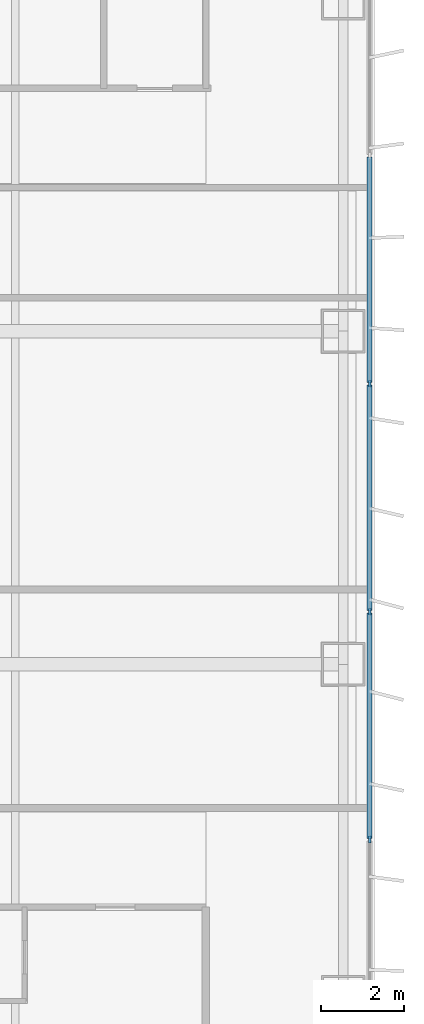
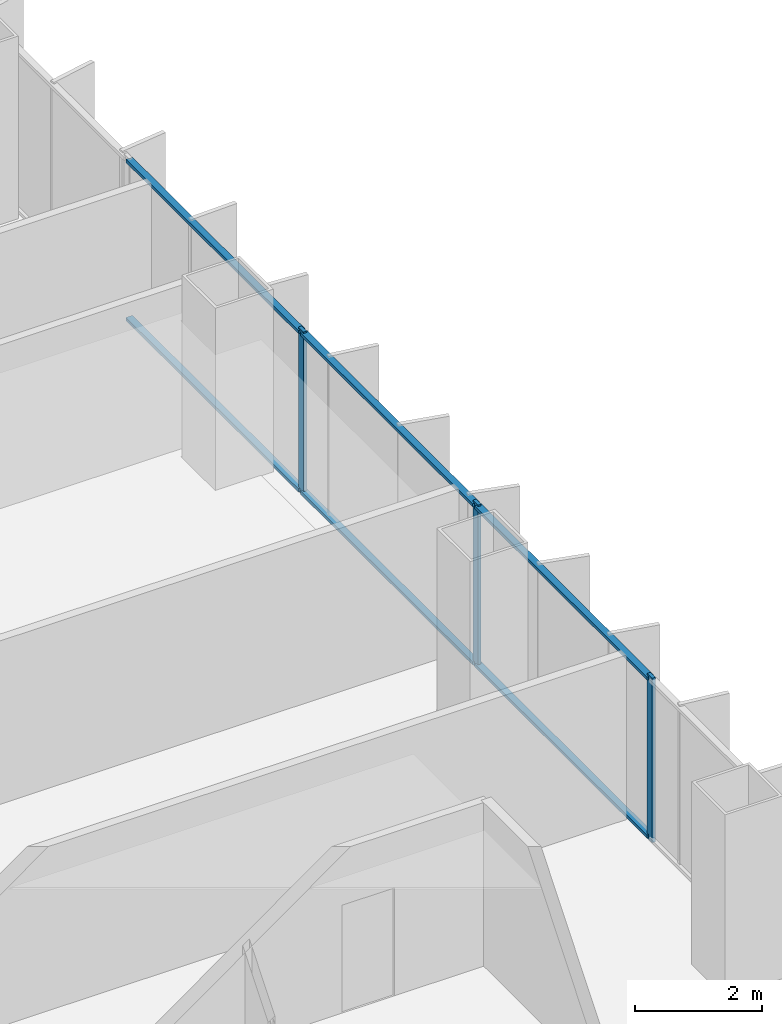
# One storey, part 8 of 19: 9 members, 1 element without a shape of its own.
"""IFC4 building model written with IfcOpenShell, lengths in metres."""

from ifc_helpers import new_model, si_unit, direction, frame, origin, origin_2d, place, context, subcontext, project, spatial, rectangle, extrude, material, layer, layer_set, material_profile, profile_set, type_object, element, aggregate, save


model = new_model("IFC4")

# Units and contexts
model_context = context("Model", 3, precision=1e-05, world=origin(), true_north=direction((0.0, 1.0)))
body_context = subcontext(model_context, "Body", "Model", "MODEL_VIEW")
ifc_project = project(units=[si_unit("LENGTHUNIT", "METRE"), si_unit("AREAUNIT", "SQUARE_METRE"), si_unit("VOLUMEUNIT", "CUBIC_METRE"), si_unit("PLANEANGLEUNIT", "RADIAN"), si_unit("MASSUNIT", "GRAM", prefix="KILO")], contexts=[model_context])

# Site, building, storey
site_placement = place(None, origin())
site = spatial("IfcSite", under=ifc_project, at=site_placement, CompositionType="ELEMENT")
building_placement = place(site_placement, origin())
building = spatial("IfcBuilding", under=site, at=building_placement, Name="Trevonay Congress Spire", CompositionType="ELEMENT")
storey_placement = place(building_placement, frame((0.0, 0.0, 79.5)))
storey = spatial("IfcBuildingStorey", under=building, at=storey_placement, Name="L20", CompositionType="ELEMENT", Elevation=79.5)

# Curtain wall, members
ifc_material = material(Name="Pale Anodised Aluminium EN AW-6063-T6", Category="aluminium")
ifc_layer = layer(ifc_material, 0.179931640625, Name="Pale Anodised Aluminium EN AW-6063-T6")
ifc_layer_set = layer_set([ifc_layer], Name="Pale Anodised Aluminium EN AW-6063-T6")
curtain_wall_type = type_object("IfcCurtainWallType", Name="CW-SYS02-HOTEL-PALE-METAL", PredefinedType="NOTDEFINED", material=ifc_layer_set)
curtain_wall_placement = place(storey_placement, origin())
curtain_wall = element("IfcCurtainWall", 1, at=curtain_wall_placement, inside=storey, type_object=curtain_wall_type, Name="L20 E unitised curtain wall", PredefinedType="NOTDEFINED")
ifc_material_profile_1 = material_profile(ifc_material, rectangle(XDim=0.06005859375, YDim=0.159912109375, at=origin_2d()), Name="CW-MULLION-160-ALUMINIUM")
ifc_profile_set_1 = profile_set([ifc_material_profile_1], Name="Pale Anodised Aluminium EN AW-6063-T6")
member_type_1 = type_object("IfcMemberType", Name="CW-MULLION-160-ALUMINIUM", PredefinedType="MULLION", material=ifc_profile_set_1)
member_1_placement = place(storey_placement, frame((23.8798828125, -8.20703125, 0.0), z_axis=(0.0, 0.0, 1.0), x_axis=(-1.0, 0.0, 0.0)))
member_1 = element("IfcMember", 2, at=member_1_placement, type_object=member_type_1, Name="CW02 mullion 3", PredefinedType="MULLION", context=body_context, shape_type="SweptSolid", body=[
    extrude(rectangle(XDim=0.06005859375, YDim=0.159912109375, at=origin_2d()), origin(), (0.0, 0.0, 1.0), 3.14990234375),
])
member_2_placement = place(storey_placement, frame((23.8798828125, -2.735595703125, 0.0), z_axis=(0.0, 0.0, 1.0), x_axis=(-1.0, 0.0, 0.0)))
member_2 = element("IfcMember", 3, at=member_2_placement, type_object=member_type_1, Name="CW02 mullion 4", PredefinedType="MULLION", context=body_context, shape_type="SweptSolid", body=[
    extrude(rectangle(XDim=0.06005859375, YDim=0.159912109375, at=origin_2d()), origin(), (0.0, 0.0, 1.0), 3.14990234375),
])
member_3_placement = place(storey_placement, frame((23.8798828125, 2.735595703125, 0.0), z_axis=(0.0, 0.0, 1.0), x_axis=(-1.0, 0.0, 0.0)))
member_3 = element("IfcMember", 4, at=member_3_placement, type_object=member_type_1, Name="CW02 mullion 5", PredefinedType="MULLION", context=body_context, shape_type="SweptSolid", body=[
    extrude(rectangle(XDim=0.06005859375, YDim=0.159912109375, at=origin_2d()), origin(), (0.0, 0.0, 1.0), 3.14990234375),
])
ifc_material_profile_2 = material_profile(ifc_material, rectangle(XDim=0.1201171875, YDim=0.06005859375, at=origin_2d()), Name="CW-TRANSOM-120-ALUMINIUM")
ifc_profile_set_2 = profile_set([ifc_material_profile_2], Name="Pale Anodised Aluminium EN AW-6063-T6")
member_type_2 = type_object("IfcMemberType", Name="CW-TRANSOM-120-ALUMINIUM", PredefinedType="USERDEFINED", material=ifc_profile_set_2)
member_4_placement = place(storey_placement, frame((23.8798828125, -8.17724609375, 0.06005859375), z_axis=(0.0, 1.0, 0.0), x_axis=(-1.0, 0.0, 0.0)))
member_4 = element("IfcMember", 5, at=member_4_placement, type_object=member_type_2, Name="CW02 transom 3.1", ObjectType="TRANSOM", PredefinedType="USERDEFINED", context=body_context, shape_type="SweptSolid", body=[
    extrude(rectangle(XDim=0.1201171875, YDim=0.06005859375, at=origin_2d()), origin(), (0.0, 0.0, 1.0), 5.41162109375),
])
member_5_placement = place(storey_placement, frame((23.8798828125, -8.17724609375, 3.090087890625), z_axis=(0.0, 1.0, 0.0), x_axis=(-1.0, 0.0, 0.0)))
member_5 = element("IfcMember", 6, at=member_5_placement, type_object=member_type_2, Name="CW02 transom 3.2", ObjectType="TRANSOM", PredefinedType="USERDEFINED", context=body_context, shape_type="SweptSolid", body=[
    extrude(rectangle(XDim=0.1201171875, YDim=0.06005859375, at=origin_2d()), origin(), (0.0, 0.0, 1.0), 5.41162109375),
])
member_6_placement = place(storey_placement, frame((23.8798828125, -2.705810546875, 0.06005859375), z_axis=(0.0, 1.0, 0.0), x_axis=(-1.0, 0.0, 0.0)))
member_6 = element("IfcMember", 7, at=member_6_placement, type_object=member_type_2, Name="CW02 transom 4.1", ObjectType="TRANSOM", PredefinedType="USERDEFINED", context=body_context, shape_type="SweptSolid", body=[
    extrude(rectangle(XDim=0.1201171875, YDim=0.06005859375, at=origin_2d()), origin(), (0.0, 0.0, 1.0), 5.41162109375),
])
member_7_placement = place(storey_placement, frame((23.8798828125, -2.705810546875, 3.090087890625), z_axis=(0.0, 1.0, 0.0), x_axis=(-1.0, 0.0, 0.0)))
member_7 = element("IfcMember", 8, at=member_7_placement, type_object=member_type_2, Name="CW02 transom 4.2", ObjectType="TRANSOM", PredefinedType="USERDEFINED", context=body_context, shape_type="SweptSolid", body=[
    extrude(rectangle(XDim=0.1201171875, YDim=0.06005859375, at=origin_2d()), origin(), (0.0, 0.0, 1.0), 5.41162109375),
])
member_8_placement = place(storey_placement, frame((23.8798828125, 2.765625, 0.06005859375), z_axis=(0.0, 1.0, 0.0), x_axis=(-1.0, 0.0, 0.0)))
member_8 = element("IfcMember", 9, at=member_8_placement, type_object=member_type_2, Name="CW02 transom 5.1", ObjectType="TRANSOM", PredefinedType="USERDEFINED", context=body_context, shape_type="SweptSolid", body=[
    extrude(rectangle(XDim=0.1201171875, YDim=0.06005859375, at=origin_2d()), origin(), (0.0, 0.0, 1.0), 5.41162109375),
])
member_9_placement = place(storey_placement, frame((23.8798828125, 2.765625, 3.090087890625), z_axis=(0.0, 1.0, 0.0), x_axis=(-1.0, 0.0, 0.0)))
member_9 = element("IfcMember", 10, at=member_9_placement, type_object=member_type_2, Name="CW02 transom 5.2", ObjectType="TRANSOM", PredefinedType="USERDEFINED", context=body_context, shape_type="SweptSolid", body=[
    extrude(rectangle(XDim=0.1201171875, YDim=0.06005859375, at=origin_2d()), origin(), (0.0, 0.0, 1.0), 5.41162109375),
])
aggregate(curtain_wall, [member_1, member_2, member_3, member_4, member_5, member_6, member_7, member_8, member_9])

save(model, "model.ifc")
